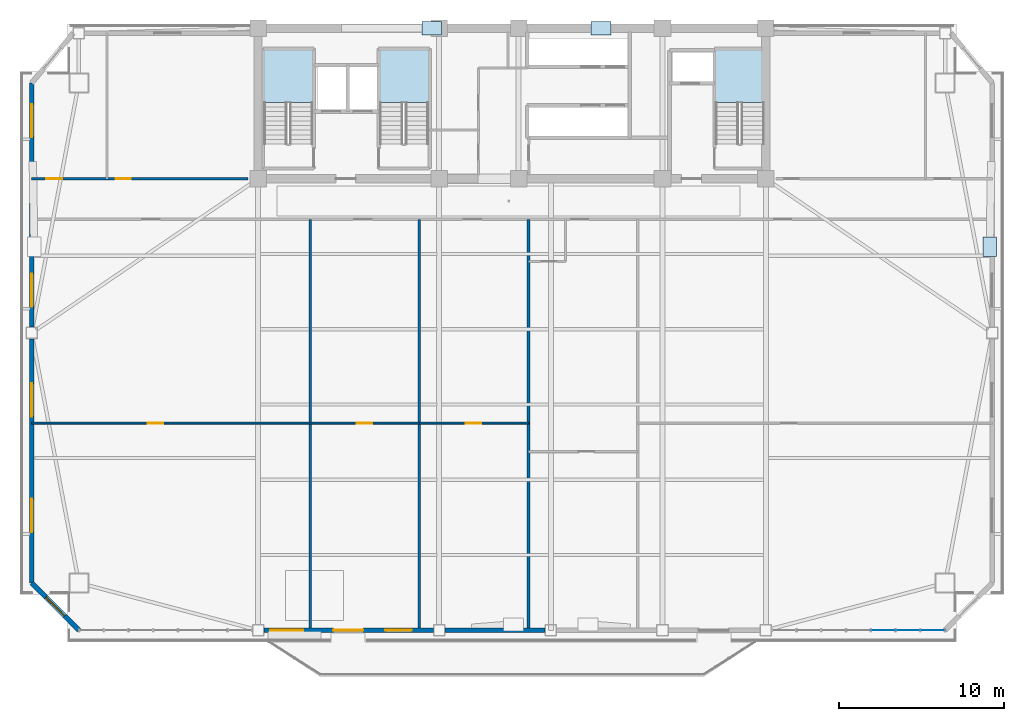
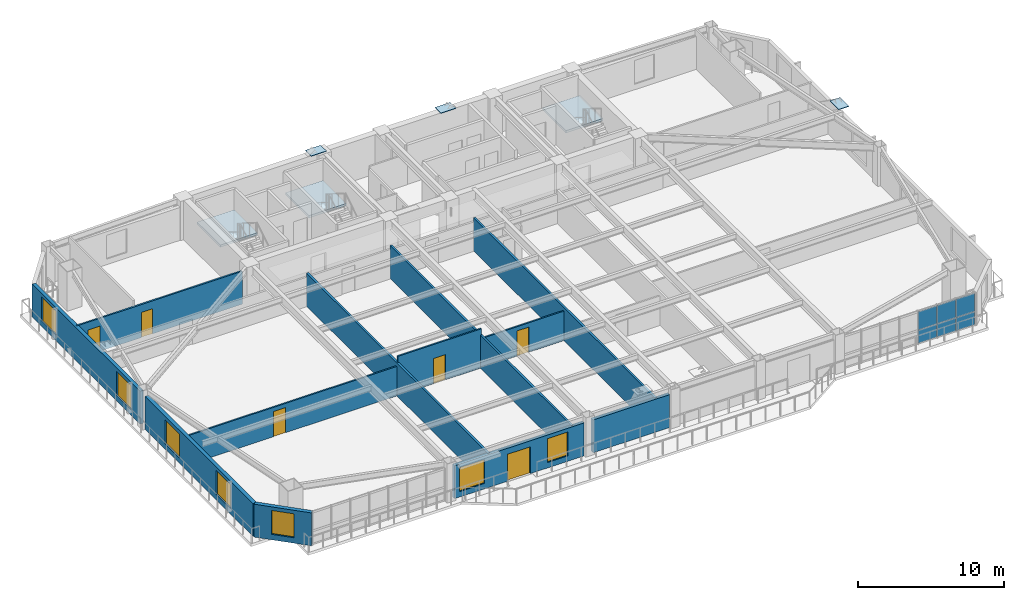
# One storey, part 7 of 15: 12 walls, 9 plates, 7 windows, 6 doors, 3 slabs, 13 openings, 4 elements without a shape of their own.
"""IFC4 building model written with IfcOpenShell, lengths in metres."""

from ifc_helpers import new_model, si_unit, direction, frame, frame_2d, origin, origin_2d, place, context, subcontext, project, spatial, polyline, rectangle, outline, extrude, source, transform, mapped, material, layer, layer_set, type_object, element, fill, aggregate, save


model = new_model("IFC4")

# Units and contexts
model_context = context("Model", 3, precision=1e-05, world=origin(), true_north=direction((0.0, 1.0)))
body_context = subcontext(model_context, "Body", "Model", "MODEL_VIEW")
ifc_project = project(units=[si_unit("LENGTHUNIT", "METRE"), si_unit("AREAUNIT", "SQUARE_METRE"), si_unit("VOLUMEUNIT", "CUBIC_METRE"), si_unit("PLANEANGLEUNIT", "RADIAN"), si_unit("MASSUNIT", "GRAM", prefix="KILO")], contexts=[model_context])

# Site, building, storey
site_placement = place(None, origin())
site = spatial("IfcSite", under=ifc_project, at=site_placement, CompositionType="ELEMENT")
building_placement = place(site_placement, origin())
building = spatial("IfcBuilding", under=site, at=building_placement, Name="Giltprow Tower", CompositionType="ELEMENT")
storey_placement = place(building_placement, frame((0.0, 0.0, 184.199951171875)))
storey = spatial("IfcBuildingStorey", under=building, at=storey_placement, Name="L46", CompositionType="ELEMENT", Elevation=184.199951171875)

# Stair, slab
ifc_material_1 = material(Name="Concrete C40", Category="concrete")
stair_type_1 = type_object("IfcStairType", Name="STR-ST-1", PredefinedType="HALF_TURN_STAIR", material=ifc_material_1)
stair_1_placement = place(storey_placement, origin())
stair_1 = element("IfcStair", 1, at=stair_1_placement, inside=storey, type_object=stair_type_1, Name="L46 Core Exit Stair ST-1", PredefinedType="HALF_TURN_STAIR")
ifc_layer_1 = layer(ifc_material_1, 0.179931640625, Name="Concrete C40")
ifc_layer_set_1 = layer_set([ifc_layer_1], Name="Concrete C40")
slab_type_1 = type_object("IfcSlabType", Name="SLD-ST-1", PredefinedType="LANDING", material=ifc_layer_set_1)
slab_1_placement = place(storey_placement, frame((0.0, 0.0, 1.570068359375)))
slab_1 = element("IfcSlab", 2, at=slab_1_placement, type_object=slab_type_1, Name="ST-1 landing 1", PredefinedType="LANDING", context=body_context, shape_type="SweptSolid", body=[
    extrude(outline(polyline([(23.159912109375, 42.070068359375), (23.159912109375, 45.25), (20.199951171875, 45.25), (20.199951171875, 42.070068359375), (23.159912109375, 42.070068359375)])), origin(), (0.0, 0.0, 1.0), 0.179931640625),
])
aggregate(stair_1, [slab_1])

stair_type_2 = type_object("IfcStairType", Name="STR-ST-2", PredefinedType="HALF_TURN_STAIR", material=ifc_material_1)
stair_2_placement = place(storey_placement, origin())
stair_2 = element("IfcStair", 3, at=stair_2_placement, inside=storey, type_object=stair_type_2, Name="L46 Core Exit Stair ST-2", PredefinedType="HALF_TURN_STAIR")
ifc_layer_2 = layer(ifc_material_1, 0.18798828125, Name="Concrete C40")
ifc_layer_set_2 = layer_set([ifc_layer_2], Name="Concrete C40")
slab_type_2 = type_object("IfcSlabType", Name="SLD-ST-2", PredefinedType="LANDING", material=ifc_layer_set_2)
slab_2_placement = place(storey_placement, frame((0.0, 0.0, 1.56201171875)))
slab_2 = element("IfcSlab", 4, at=slab_2_placement, type_object=slab_type_2, Name="ST-2 landing 1", PredefinedType="LANDING", context=body_context, shape_type="SweptSolid", body=[
    extrude(outline(polyline([(30.159912109375, 42.070068359375), (30.159912109375, 45.25), (27.199951171875, 45.25), (27.199951171875, 42.070068359375), (30.159912109375, 42.070068359375)])), origin(), (0.0, 0.0, 1.0), 0.18798828125),
])
aggregate(stair_2, [slab_2])

stair_type_3 = type_object("IfcStairType", Name="STR-ST-3", PredefinedType="HALF_TURN_STAIR", material=ifc_material_1)
stair_3_placement = place(storey_placement, origin())
stair_3 = element("IfcStair", 5, at=stair_3_placement, inside=storey, type_object=stair_type_3, Name="L46 Core Exit Stair ST-3", PredefinedType="HALF_TURN_STAIR")
ifc_layer_3 = layer(ifc_material_1, 0.196044921875, Name="Concrete C40")
ifc_layer_set_3 = layer_set([ifc_layer_3], Name="Concrete C40")
slab_type_3 = type_object("IfcSlabType", Name="SLD-ST-3", PredefinedType="LANDING", material=ifc_layer_set_3)
slab_3_placement = place(storey_placement, frame((0.0, 0.0, 1.553955078125)))
slab_3 = element("IfcSlab", 6, at=slab_3_placement, type_object=slab_type_3, Name="ST-3 landing 1", PredefinedType="LANDING", context=body_context, shape_type="SweptSolid", body=[
    extrude(outline(polyline([(50.4599609375, 42.070068359375), (50.4599609375, 45.25), (47.5, 45.25), (47.5, 42.070068359375), (50.4599609375, 42.070068359375)])), origin(), (0.0, 0.0, 1.0), 0.196044921875),
])
aggregate(stair_3, [slab_3])

# Plates
ifc_material_2 = material(Name="Structural steel Q420GJC", Category="steel")
plate_type_1 = type_object("IfcPlateType", Name="PLT-CAP-SEAL", PredefinedType="USERDEFINED", material=ifc_material_2)
shared_shape_1 = source(origin(), body_context, "Body", "SweptSolid", [
    extrude(rectangle(XDim=1.199951171875, YDim=0.800048828125, at=origin_2d()), origin(), (0.0, 0.0, 1.0), 0.034912109375),
])
for number, where, z_axis, x_axis, name in (
    (7, (30.35009765625, 46.550048828125, 3.3427734375), (0.0, 0.0, 1.0), (1.0, 0.0, 0.0), "Mega-Brace Node L46-N-LB"),
    (8, (40.5830078125, 46.550048828125, 3.3427734375), (0.0, 0.0, 1.0), (1.0, 0.0, 0.0), "Mega-Brace Node L46-N-RB"),
    (9, (64.090087890625, 33.340087890625, 3.482421875), (0.0, 0.0, 1.0), (0.0, 1.0, 0.0), "Mega-Brace Node L46-E-RB"),
):
    element("IfcPlate", number, at=place(storey_placement, frame(where, z_axis=z_axis, x_axis=x_axis)), inside=storey, type_object=plate_type_1, Name=name, ObjectType="SPLICE", PredefinedType="USERDEFINED", context=body_context, shape_type="MappedRepresentation", body=[
        mapped(shared_shape_1, transform((0.0, 0.0, 0.0), x_axis=(1.0, 0.0, 0.0), y_axis=(0.0, 1.0, 0.0), z_axis=(0.0, 0.0, 1.0), scale=1.0)),
    ])

# Curtain wall, plates
ifc_material_3 = material(Name="Anodized bronze", Category="metal")
ifc_layer_4 = layer(ifc_material_3, 0.179931640625, Name="Anodized bronze")
ifc_layer_set_4 = layer_set([ifc_layer_4], Name="Anodized bronze")
curtain_wall_type = type_object("IfcCurtainWallType", Name="CW-HTL-BRONZE", PredefinedType="NOTDEFINED", material=ifc_layer_set_4)
curtain_wall_placement = place(storey_placement, origin())
curtain_wall = element("IfcCurtainWall", 10, at=curtain_wall_placement, inside=storey, type_object=curtain_wall_type, Name="L46 South Recessed Curtain Wall 6", PredefinedType="NOTDEFINED")
ifc_material_4 = material(Name="Insulated glass", Category="glass")
plate_type_2 = type_object("IfcPlateType", Name="CW-PANEL-IGU-28", PredefinedType="CURTAIN_PANEL", material=ifc_material_4)
shared_shape_2 = source(origin(), body_context, "Body", "SweptSolid", [
    extrude(rectangle(XDim=1.468017578125, YDim=0.028076171875, at=origin_2d()), origin(), (0.0, 0.0, 1.0), 1.0869140625),
])
plate_1_placement = place(storey_placement, frame((57.64111328125, 10.154052734375, 0.0546875), z_axis=(0.0, 0.0, 1.0), x_axis=(1.0, 0.0, 0.0)))
plate_1 = element("IfcPlate", 11, at=plate_1_placement, type_object=plate_type_2, Name="L46 South Recessed Curtain Wall 6 Glazing Panel 5-1", PredefinedType="CURTAIN_PANEL", context=body_context, shape_type="MappedRepresentation", body=[
    mapped(shared_shape_2, transform((0.0, 0.0, 0.0), x_axis=(1.0, 0.0, 0.0), y_axis=(0.0, 1.0, 0.0), z_axis=(0.0, 0.0, 1.0), scale=1.0)),
])
plate_2_placement = place(storey_placement, frame((59.138916015625, 10.154052734375, 0.0546875), z_axis=(0.0, 0.0, 1.0), x_axis=(1.0, 0.0, 0.0)))
plate_2 = element("IfcPlate", 12, at=plate_2_placement, type_object=plate_type_2, Name="L46 South Recessed Curtain Wall 6 Glazing Panel 6-1", PredefinedType="CURTAIN_PANEL", context=body_context, shape_type="MappedRepresentation", body=[
    mapped(shared_shape_2, transform((0.0, 0.0, 0.0), x_axis=(1.0, 0.0, 0.0), y_axis=(0.0, 1.0, 0.0), z_axis=(0.0, 0.0, 1.0), scale=1.0)),
])
plate_3_placement = place(storey_placement, frame((60.636962890625, 10.154052734375, 0.0546875), z_axis=(0.0, 0.0, 1.0), x_axis=(1.0, 0.0, 0.0)))
plate_3 = element("IfcPlate", 13, at=plate_3_placement, type_object=plate_type_2, Name="L46 South Recessed Curtain Wall 6 Glazing Panel 7-1", PredefinedType="CURTAIN_PANEL", context=body_context, shape_type="MappedRepresentation", body=[
    mapped(shared_shape_2, transform((0.0, 0.0, 0.0), x_axis=(1.0, 0.0, 0.0), y_axis=(0.0, 1.0, 0.0), z_axis=(0.0, 0.0, 1.0), scale=1.0)),
])
shared_shape_3 = source(origin(), body_context, "Body", "SweptSolid", [
    extrude(rectangle(XDim=1.468017578125, YDim=0.028076171875, at=origin_2d()), origin(), (0.0, 0.0, 1.0), 1.527099609375),
])
plate_4_placement = place(storey_placement, frame((57.64111328125, 10.154052734375, 1.16845703125), z_axis=(0.0, 0.0, 1.0), x_axis=(1.0, 0.0, 0.0)))
plate_4 = element("IfcPlate", 14, at=plate_4_placement, type_object=plate_type_2, Name="L46 South Recessed Curtain Wall 6 Glazing Panel 5-2", PredefinedType="CURTAIN_PANEL", context=body_context, shape_type="MappedRepresentation", body=[
    mapped(shared_shape_3, transform((0.0, 0.0, 0.0), x_axis=(1.0, 0.0, 0.0), y_axis=(0.0, 1.0, 0.0), z_axis=(0.0, 0.0, 1.0), scale=1.0)),
])
plate_5_placement = place(storey_placement, frame((59.138916015625, 10.154052734375, 1.16845703125), z_axis=(0.0, 0.0, 1.0), x_axis=(1.0, 0.0, 0.0)))
plate_5 = element("IfcPlate", 15, at=plate_5_placement, type_object=plate_type_2, Name="L46 South Recessed Curtain Wall 6 Glazing Panel 6-2", PredefinedType="CURTAIN_PANEL", context=body_context, shape_type="MappedRepresentation", body=[
    mapped(shared_shape_3, transform((0.0, 0.0, 0.0), x_axis=(1.0, 0.0, 0.0), y_axis=(0.0, 1.0, 0.0), z_axis=(0.0, 0.0, 1.0), scale=1.0)),
])
plate_6_placement = place(storey_placement, frame((60.636962890625, 10.154052734375, 1.16845703125), z_axis=(0.0, 0.0, 1.0), x_axis=(1.0, 0.0, 0.0)))
plate_6 = element("IfcPlate", 16, at=plate_6_placement, type_object=plate_type_2, Name="L46 South Recessed Curtain Wall 6 Glazing Panel 7-2", PredefinedType="CURTAIN_PANEL", context=body_context, shape_type="MappedRepresentation", body=[
    mapped(shared_shape_3, transform((0.0, 0.0, 0.0), x_axis=(1.0, 0.0, 0.0), y_axis=(0.0, 1.0, 0.0), z_axis=(0.0, 0.0, 1.0), scale=1.0)),
])
aggregate(curtain_wall, [plate_1, plate_4, plate_2, plate_5, plate_3, plate_6])

# Wall, opening, window
ifc_material_5 = material(Name="Precast concrete C40", Category="concrete")
ifc_layer_5 = layer(ifc_material_5, 0.300048828125, Name="Precast concrete C40")
ifc_layer_set_5 = layer_set([ifc_layer_5], Name="Precast concrete C40")
wall_type_1 = type_object("IfcWallType", Name="EW-NOTCH-CHAMFER-300", PredefinedType="SOLIDWALL", material=ifc_layer_set_5)
wall_1_placement = place(storey_placement, frame((6.154052734375, 13.014892578125, 0.0), z_axis=(0.0, 0.0, 1.0), x_axis=(0.707106781187, -0.707106781187, 0.0)))
wall_1 = element("IfcWall", 17, at=wall_1_placement, inside=storey, type_object=wall_type_1, Name="L46 Corner Notch Wall SW", PredefinedType="SOLIDWALL", context=body_context, shape_type="SweptSolid", body=[
    extrude(rectangle(XDim=4.0458984375, YDim=0.300048828125, at=frame_2d((2.02294921875, 0.0))), origin(), (0.0, 0.0, 1.0), 2.75),
])
opening_1_placement = place(wall_1_placement, frame((1.222900390625, 0.0, 0.449951171875)))
opening_1 = element("IfcOpeningElement", 18, at=opening_1_placement, cuts=wall_1, Name="Opening WN17", PredefinedType="OPENING", context=body_context, shape_type="SweptSolid", body=[
    extrude(rectangle(XDim=1.60009765625, YDim=2.0, at=frame_2d((0.800048828125, 1.0))), frame((0.0, 0.159912109375, 0.0), z_axis=(0.0, -1.0, 0.0), x_axis=(1.0, 0.0, 0.0)), (0.0, 0.0, 1.0), 0.320068359375),
])
window_type_1 = type_object("IfcWindowType", Name="WN-COR-1600x2000", PartitioningType="SINGLE_PANEL", PredefinedType="WINDOW", material=ifc_material_4)
shared_shape_4 = source(origin(), body_context, "Body", "SweptSolid", [
    extrude(rectangle(XDim=1.60009765625, YDim=2.0, at=frame_2d((0.800048828125, 1.0))), frame((0.0, 0.030029296875, 0.0), z_axis=(0.0, -1.0, 0.0), x_axis=(1.0, 0.0, 0.0)), (0.0, 0.0, 1.0), 0.06005859375),
])
window_1_placement = place(opening_1_placement, origin())
window_1 = element("IfcWindow", 19, at=window_1_placement, inside=storey, type_object=window_type_1, Name="L46 Corner Notch Window SW", OverallHeight=2.0, OverallWidth=1.60009765625, PartitioningType="SINGLE_PANEL", PredefinedType="WINDOW", context=body_context, shape_type="MappedRepresentation", body=[
    mapped(shared_shape_4, transform((0.0, 0.0, 0.0), x_axis=(1.0, 0.0, 0.0), y_axis=(0.0, 1.0, 0.0), z_axis=(0.0, 0.0, 1.0), scale=1.0)),
])
fill(opening_1, window_1)

# Wall, openings, windows, door
ifc_layer_6 = layer(ifc_material_5, 0.280029296875, Name="Precast concrete C40")
ifc_layer_set_6 = layer_set([ifc_layer_6], Name="Precast concrete C40")
wall_type_2 = type_object("IfcWallType", Name="EW-TOW-BRONZE-280", PredefinedType="SOLIDWALL", material=ifc_layer_set_6)
wall_2_placement = place(storey_placement, frame((20.199951171875, 10.154052734375, 0.0), z_axis=(0.0, 0.0, 1.0), x_axis=(1.0, 0.0, 0.0)))
wall_2 = element("IfcWall", 20, at=wall_2_placement, inside=storey, type_object=wall_type_2, Name="L46 South Expressed Frame Wall 2", PredefinedType="SOLIDWALL", context=body_context, shape_type="SweptSolid", body=[
    extrude(rectangle(XDim=10.25, YDim=0.280029296875, at=frame_2d((5.125, 0.0))), origin(), (0.0, 0.0, 1.0), 2.75),
])
opening_2_placement = place(wall_2_placement, frame((4.199951171875, 0.0, 0.0)))
opening_2 = element("IfcOpeningElement", 21, at=opening_2_placement, cuts=wall_2, Name="Opening ED25", PredefinedType="OPENING", context=body_context, shape_type="SweptSolid", body=[
    extrude(rectangle(XDim=1.800048828125, YDim=2.25, at=frame_2d((0.89990234375, 1.125))), frame((0.0, 0.14990234375, 0.0), z_axis=(0.0, -1.0, 0.0), x_axis=(1.0, 0.0, 0.0)), (0.0, 0.0, 1.0), 0.300048828125),
])
opening_3_placement = place(wall_2_placement, frame((0.3798828125, 0.0, 0.449951171875)))
opening_3 = element("IfcOpeningElement", 22, at=opening_3_placement, cuts=wall_2, Name="Opening WN21", PredefinedType="OPENING", context=body_context, shape_type="SweptSolid", body=[
    extrude(rectangle(XDim=2.0, YDim=2.0, at=frame_2d((1.0, 1.0))), frame((0.0, 0.14990234375, 0.0), z_axis=(0.0, -1.0, 0.0), x_axis=(1.0, 0.0, 0.0)), (0.0, 0.0, 1.0), 0.300048828125),
])
opening_4_placement = place(wall_2_placement, frame((7.35009765625, 0.0, 0.449951171875)))
opening_4 = element("IfcOpeningElement", 23, at=opening_4_placement, cuts=wall_2, Name="Opening WN17", PredefinedType="OPENING", context=body_context, shape_type="SweptSolid", body=[
    extrude(rectangle(XDim=1.60009765625, YDim=2.0, at=frame_2d((0.800048828125, 1.0))), frame((0.0, 0.14990234375, 0.0), z_axis=(0.0, -1.0, 0.0), x_axis=(1.0, 0.0, 0.0)), (0.0, 0.0, 1.0), 0.300048828125),
])
window_2_placement = place(opening_4_placement, origin())
window_2 = element("IfcWindow", 24, at=window_2_placement, inside=storey, type_object=window_type_1, Name="L46 South Window 2B", OverallHeight=2.0, OverallWidth=1.60009765625, PartitioningType="SINGLE_PANEL", PredefinedType="WINDOW", context=body_context, shape_type="MappedRepresentation", body=[
    mapped(shared_shape_4, transform((0.0, 0.0, 0.0), x_axis=(1.0, 0.0, 0.0), y_axis=(0.0, 1.0, 0.0), z_axis=(0.0, 0.0, 1.0), scale=1.0)),
])
fill(opening_4, window_2)
ifc_material_6 = material(Name="Anodized bronze and glass", Category="glass")
door_type_1 = type_object("IfcDoorType", Name="DR-BALC-SLIDE-1800", OperationType="SLIDING_TO_LEFT", PredefinedType="DOOR", material=ifc_material_6)
shared_shape_5 = source(origin(), body_context, "Body", "SweptSolid", [
    extrude(rectangle(XDim=1.800048828125, YDim=2.25, at=frame_2d((0.89990234375, 1.125))), frame((0.0, 0.02490234375, 0.0), z_axis=(0.0, -1.0, 0.0), x_axis=(1.0, 0.0, 0.0)), (0.0, 0.0, 1.0), 0.050048828125),
])
door_1_placement = place(opening_2_placement, origin())
door_1 = element("IfcDoor", 25, at=door_1_placement, inside=storey, type_object=door_type_1, Name="L46 Waterfront Balcony Sliding Door 1", OperationType="SLIDING_TO_LEFT", OverallHeight=2.25, OverallWidth=1.800048828125, PredefinedType="DOOR", context=body_context, shape_type="MappedRepresentation", body=[
    mapped(shared_shape_5, transform((0.0, 0.0, 0.0), x_axis=(1.0, 0.0, 0.0), y_axis=(0.0, 1.0, 0.0), z_axis=(0.0, 0.0, 1.0), scale=1.0)),
])
fill(opening_2, door_1)
window_type_2 = type_object("IfcWindowType", Name="WN-HTL-2000x2000", PartitioningType="DOUBLE_PANEL_VERTICAL", PredefinedType="WINDOW", material=ifc_material_4)
shared_shape_6 = source(origin(), body_context, "Body", "SweptSolid", [
    extrude(rectangle(XDim=2.0, YDim=2.0, at=frame_2d((1.0, 1.0))), frame((0.0, 0.030029296875, 0.0), z_axis=(0.0, -1.0, 0.0), x_axis=(1.0, 0.0, 0.0)), (0.0, 0.0, 1.0), 0.06005859375),
])
window_3_placement = place(opening_3_placement, origin())
window_3 = element("IfcWindow", 26, at=window_3_placement, inside=storey, type_object=window_type_2, Name="L46 South Window 2A", OverallHeight=2.0, OverallWidth=2.0, PartitioningType="SINGLE_PANEL", PredefinedType="WINDOW", context=body_context, shape_type="MappedRepresentation", body=[
    mapped(shared_shape_6, transform((0.0, 0.0, 0.0), x_axis=(1.0, 0.0, 0.0), y_axis=(0.0, 1.0, 0.0), z_axis=(0.0, 0.0, 1.0), scale=1.0)),
])
fill(opening_3, window_3)

# Wall
wall_3_placement = place(storey_placement, frame((31.14990234375, 10.154052734375, 0.0), z_axis=(0.0, 0.0, 1.0), x_axis=(1.0, 0.0, 0.0)))
element("IfcWall", 27, at=wall_3_placement, inside=storey, type_object=wall_type_2, Name="L46 South Expressed Frame Wall 3", PredefinedType="SOLIDWALL", context=body_context, shape_type="SweptSolid", body=[
    extrude(rectangle(XDim=6.050048828125, YDim=0.280029296875, at=frame_2d((3.02490234375, 0.0))), origin(), (0.0, 0.0, 1.0), 2.75),
])

# Wall, openings, windows
wall_4_placement = place(storey_placement, frame((6.154052734375, 13.014892578125, 0.0), z_axis=(0.0, 0.0, 1.0), x_axis=(0.0, 1.0, 0.0)))
wall_4 = element("IfcWall", 28, at=wall_4_placement, inside=storey, type_object=wall_type_2, Name="L46 W Wing Masonry Wall 1", PredefinedType="SOLIDWALL", context=body_context, shape_type="SweptSolid", body=[
    extrude(rectangle(XDim=14.76220703125, YDim=0.280029296875, at=frame_2d((7.381103515625, 0.0))), origin(), (0.0, 0.0, 1.0), 2.75),
])
opening_5_placement = place(wall_4_placement, frame((3.077880859375, 0.0, 0.449951171875)))
opening_5 = element("IfcOpeningElement", 29, at=opening_5_placement, cuts=wall_4, Name="Opening WN21", PredefinedType="OPENING", context=body_context, shape_type="SweptSolid", body=[
    extrude(rectangle(XDim=2.0, YDim=2.0, at=frame_2d((1.0, 1.0))), frame((0.0, 0.14990234375, 0.0), z_axis=(0.0, -1.0, 0.0), x_axis=(1.0, 0.0, 0.0)), (0.0, 0.0, 1.0), 0.300048828125),
])
opening_6_placement = place(wall_4_placement, frame((10.06201171875, 0.0, 0.449951171875)))
opening_6 = element("IfcOpeningElement", 30, at=opening_6_placement, cuts=wall_4, Name="Opening WN21", PredefinedType="OPENING", context=body_context, shape_type="SweptSolid", body=[
    extrude(rectangle(XDim=2.0, YDim=2.0, at=frame_2d((1.0, 1.0))), frame((0.0, 0.14990234375, 0.0), z_axis=(0.0, -1.0, 0.0), x_axis=(1.0, 0.0, 0.0)), (0.0, 0.0, 1.0), 0.300048828125),
])
window_4_placement = place(opening_5_placement, origin())
window_4 = element("IfcWindow", 31, at=window_4_placement, inside=storey, type_object=window_type_2, Name="L46 W Wing Window 1-1A", OverallHeight=2.0, OverallWidth=2.0, PartitioningType="SINGLE_PANEL", PredefinedType="WINDOW", context=body_context, shape_type="MappedRepresentation", body=[
    mapped(shared_shape_6, transform((0.0, 0.0, 0.0), x_axis=(1.0, 0.0, 0.0), y_axis=(0.0, 1.0, 0.0), z_axis=(0.0, 0.0, 1.0), scale=1.0)),
])
fill(opening_5, window_4)
window_5_placement = place(opening_6_placement, origin())
window_5 = element("IfcWindow", 32, at=window_5_placement, inside=storey, type_object=window_type_2, Name="L46 W Wing Window 1-1B", OverallHeight=2.0, OverallWidth=2.0, PartitioningType="SINGLE_PANEL", PredefinedType="WINDOW", context=body_context, shape_type="MappedRepresentation", body=[
    mapped(shared_shape_6, transform((0.0, 0.0, 0.0), x_axis=(1.0, 0.0, 0.0), y_axis=(0.0, 1.0, 0.0), z_axis=(0.0, 0.0, 1.0), scale=1.0)),
])
fill(opening_6, window_5)

wall_5_placement = place(storey_placement, frame((6.154052734375, 28.47705078125, 0.0), z_axis=(0.0, 0.0, 1.0), x_axis=(0.0, 1.0, 0.0)))
wall_5 = element("IfcWall", 33, at=wall_5_placement, inside=storey, type_object=wall_type_2, Name="L46 W Wing Masonry Wall 2", PredefinedType="SOLIDWALL", context=body_context, shape_type="SweptSolid", body=[
    extrude(rectangle(XDim=14.761962890625, YDim=0.280029296875, at=frame_2d((7.380859375, 0.0))), origin(), (0.0, 0.0, 1.0), 2.75),
])
opening_7_placement = place(wall_5_placement, frame((1.23193359375, 0.0, 0.449951171875)))
opening_7 = element("IfcOpeningElement", 34, at=opening_7_placement, cuts=wall_5, Name="Opening WN21", PredefinedType="OPENING", context=body_context, shape_type="SweptSolid", body=[
    extrude(rectangle(XDim=2.0, YDim=2.0, at=frame_2d((1.0, 1.0))), frame((0.0, 0.14990234375, 0.0), z_axis=(0.0, -1.0, 0.0), x_axis=(1.0, 0.0, 0.0)), (0.0, 0.0, 1.0), 0.300048828125),
])
opening_8_placement = place(wall_5_placement, frame((11.487060546875, 0.0, 0.449951171875)))
opening_8 = element("IfcOpeningElement", 35, at=opening_8_placement, cuts=wall_5, Name="Opening WN21", PredefinedType="OPENING", context=body_context, shape_type="SweptSolid", body=[
    extrude(rectangle(XDim=2.0, YDim=2.0, at=frame_2d((1.0, 1.0))), frame((0.0, 0.14990234375, 0.0), z_axis=(0.0, -1.0, 0.0), x_axis=(1.0, 0.0, 0.0)), (0.0, 0.0, 1.0), 0.300048828125),
])
window_6_placement = place(opening_7_placement, origin())
window_6 = element("IfcWindow", 36, at=window_6_placement, inside=storey, type_object=window_type_2, Name="L46 W Wing Window 2-1", OverallHeight=2.0, OverallWidth=2.0, PartitioningType="SINGLE_PANEL", PredefinedType="WINDOW", context=body_context, shape_type="MappedRepresentation", body=[
    mapped(shared_shape_6, transform((0.0, 0.0, 0.0), x_axis=(1.0, 0.0, 0.0), y_axis=(0.0, 1.0, 0.0), z_axis=(0.0, 0.0, 1.0), scale=1.0)),
])
fill(opening_7, window_6)
window_7_placement = place(opening_8_placement, origin())
window_7 = element("IfcWindow", 37, at=window_7_placement, inside=storey, type_object=window_type_2, Name="L46 W Wing Window 2-2", OverallHeight=2.0, OverallWidth=2.0, PartitioningType="SINGLE_PANEL", PredefinedType="WINDOW", context=body_context, shape_type="MappedRepresentation", body=[
    mapped(shared_shape_6, transform((0.0, 0.0, 0.0), x_axis=(1.0, 0.0, 0.0), y_axis=(0.0, 1.0, 0.0), z_axis=(0.0, 0.0, 1.0), scale=1.0)),
])
fill(opening_8, window_7)

# Walls
ifc_material_7 = material(Name="Gypsum stud partition", Category="gypsum")
ifc_layer_7 = layer(ifc_material_7, 0.159912109375, Name="Gypsum stud partition")
ifc_layer_set_7 = layer_set([ifc_layer_7], Name="Gypsum stud partition")
wall_type_3 = type_object("IfcWallType", Name="IW-DEMISE-160", PredefinedType="PARTITIONING", material=ifc_layer_set_7)
for number, where, z_axis, x_axis, name in (
    (38, (23.0, 10.154052734375, 0.0), (0.0, 0.0, 1.0), (0.0, 1.0, 0.0), "L46 Hotel Demising Wall 1"),
    (39, (29.60009765625, 10.154052734375, 0.0), (0.0, 0.0, 1.0), (0.0, 1.0, 0.0), "L46 Hotel Demising Wall 2"),
    (40, (36.199951171875, 10.154052734375, 0.0), (0.0, 0.0, 1.0), (0.0, 1.0, 0.0), "L46 Hotel Demising Wall 3"),
):
    element("IfcWall", number, at=place(storey_placement, frame(where, z_axis=z_axis, x_axis=x_axis)), inside=storey, type_object=wall_type_3, Name=name, PredefinedType="PARTITIONING", context=body_context, shape_type="SweptSolid", body=[
        extrude(rectangle(XDim=24.845947265625, YDim=0.159912109375, at=frame_2d((12.4228515625, 0.0))), origin(), (0.0, 0.0, 1.0), 2.755126953125),
    ])

# Wall, opening, door
ifc_layer_8 = layer(ifc_material_7, 0.1201171875, Name="Gypsum stud partition")
ifc_layer_set_8 = layer_set([ifc_layer_8], Name="Gypsum stud partition")
wall_type_4 = type_object("IfcWallType", Name="IW-ROOM-120", PredefinedType="PARTITIONING", material=ifc_layer_set_8)
wall_6_placement = place(storey_placement, frame((6.154052734375, 22.677001953125, 0.0), z_axis=(0.0, 0.0, 1.0), x_axis=(1.0, 0.0, 0.0)))
wall_6 = element("IfcWall", 41, at=wall_6_placement, inside=storey, type_object=wall_type_4, Name="L46 Amenity Mid Wall 1", PredefinedType="PARTITIONING", context=body_context, shape_type="SweptSolid", body=[
    extrude(rectangle(XDim=16.845947265625, YDim=0.1201171875, at=frame_2d((8.4228515625, 0.0))), origin(), (0.0, 0.0, 1.0), 2.455078125),
])
opening_9_placement = place(wall_6_placement, frame((7.02392578125, 0.0, 0.0)))
opening_9 = element("IfcOpeningElement", 42, at=opening_9_placement, cuts=wall_6, Name="Opening ID11", PredefinedType="OPENING", context=body_context, shape_type="SweptSolid", body=[
    extrude(rectangle(XDim=0.949951171875, YDim=2.10009765625, at=frame_2d((0.47509765625, 1.050048828125))), frame((0.0, 0.070068359375, 0.0), z_axis=(0.0, -1.0, 0.0), x_axis=(1.0, 0.0, 0.0)), (0.0, 0.0, 1.0), 0.14013671875),
])
ifc_material_8 = material(Name="Engineered timber", Category="wood")
door_type_2 = type_object("IfcDoorType", Name="DR-ROOM-950", OperationType="SINGLE_SWING_RIGHT", PredefinedType="DOOR", material=ifc_material_8)
shared_shape_7 = source(origin(), body_context, "Body", "SweptSolid", [
    extrude(rectangle(XDim=0.949951171875, YDim=2.10009765625, at=frame_2d((0.47509765625, 1.050048828125))), frame((0.0, 0.02490234375, 0.0), z_axis=(0.0, -1.0, 0.0), x_axis=(1.0, 0.0, 0.0)), (0.0, 0.0, 1.0), 0.050048828125),
])
door_2_placement = place(opening_9_placement, origin())
door_2 = element("IfcDoor", 43, at=door_2_placement, inside=storey, type_object=door_type_2, Name="L46 Sommelier Pantry Kitchen 1 Inner Door", OperationType="SINGLE_SWING_RIGHT", OverallHeight=2.10009765625, OverallWidth=0.949951171875, PredefinedType="DOOR", context=body_context, shape_type="MappedRepresentation", body=[
    mapped(shared_shape_7, transform((0.0, 0.0, 0.0), x_axis=(1.0, 0.0, 0.0), y_axis=(0.0, 1.0, 0.0), z_axis=(0.0, 0.0, 1.0), scale=1.0)),
])
fill(opening_9, door_2)

wall_7_placement = place(storey_placement, frame((23.0, 22.677001953125, 0.0), z_axis=(0.0, 0.0, 1.0), x_axis=(1.0, 0.0, 0.0)))
wall_7 = element("IfcWall", 44, at=wall_7_placement, inside=storey, type_object=wall_type_4, Name="L46 Amenity Mid Wall 2", PredefinedType="PARTITIONING", context=body_context, shape_type="SweptSolid", body=[
    extrude(rectangle(XDim=6.60009765625, YDim=0.1201171875, at=frame_2d((3.300048828125, 0.0))), origin(), (0.0, 0.0, 1.0), 3.27001953125),
])
opening_10_placement = place(wall_7_placement, frame((2.805908203125, 0.0, 0.0)))
opening_10 = element("IfcOpeningElement", 45, at=opening_10_placement, cuts=wall_7, Name="Opening ID11", PredefinedType="OPENING", context=body_context, shape_type="SweptSolid", body=[
    extrude(rectangle(XDim=0.949951171875, YDim=2.10009765625, at=frame_2d((0.47509765625, 1.050048828125))), frame((0.0, 0.070068359375, 0.0), z_axis=(0.0, -1.0, 0.0), x_axis=(1.0, 0.0, 0.0)), (0.0, 0.0, 1.0), 0.14013671875),
])
door_3_placement = place(opening_10_placement, origin())
door_3 = element("IfcDoor", 46, at=door_3_placement, inside=storey, type_object=door_type_2, Name="L46 Room Service Kitchen 2 Inner Door", OperationType="SINGLE_SWING_RIGHT", OverallHeight=2.10009765625, OverallWidth=0.949951171875, PredefinedType="DOOR", context=body_context, shape_type="MappedRepresentation", body=[
    mapped(shared_shape_7, transform((0.0, 0.0, 0.0), x_axis=(1.0, 0.0, 0.0), y_axis=(0.0, 1.0, 0.0), z_axis=(0.0, 0.0, 1.0), scale=1.0)),
])
fill(opening_10, door_3)

wall_8_placement = place(storey_placement, frame((29.60009765625, 22.677001953125, 0.0), z_axis=(0.0, 0.0, 1.0), x_axis=(1.0, 0.0, 0.0)))
wall_8 = element("IfcWall", 47, at=wall_8_placement, inside=storey, type_object=wall_type_4, Name="L46 Amenity Mid Wall 3", PredefinedType="PARTITIONING", context=body_context, shape_type="SweptSolid", body=[
    extrude(rectangle(XDim=6.599853515625, YDim=0.1201171875, at=frame_2d((3.2998046875, 0.0))), origin(), (0.0, 0.0, 1.0), 2.455078125),
])
opening_11_placement = place(wall_8_placement, frame((2.805908203125, 0.0, 0.0)))
opening_11 = element("IfcOpeningElement", 48, at=opening_11_placement, cuts=wall_8, Name="Opening ID11", PredefinedType="OPENING", context=body_context, shape_type="SweptSolid", body=[
    extrude(rectangle(XDim=0.949951171875, YDim=2.10009765625, at=frame_2d((0.47509765625, 1.050048828125))), frame((0.0, 0.070068359375, 0.0), z_axis=(0.0, -1.0, 0.0), x_axis=(1.0, 0.0, 0.0)), (0.0, 0.0, 1.0), 0.14013671875),
])
door_4_placement = place(opening_11_placement, origin())
door_4 = element("IfcDoor", 49, at=door_4_placement, inside=storey, type_object=door_type_2, Name="L46 Pastry Finishing Kitchen 3 Inner Door", OperationType="SINGLE_SWING_RIGHT", OverallHeight=2.10009765625, OverallWidth=0.949951171875, PredefinedType="DOOR", context=body_context, shape_type="MappedRepresentation", body=[
    mapped(shared_shape_7, transform((0.0, 0.0, 0.0), x_axis=(1.0, 0.0, 0.0), y_axis=(0.0, 1.0, 0.0), z_axis=(0.0, 0.0, 1.0), scale=1.0)),
])
fill(opening_11, door_4)

# Wall, openings, doors
ifc_material_9 = material(Name="Concrete C30", Category="concrete")
ifc_layer_9 = layer(ifc_material_9, 0.1298828125, Name="Concrete C30")
ifc_layer_set_9 = layer_set([ifc_layer_9], Name="Concrete C30")
wall_type_5 = type_object("IfcWallType", Name="IW-WET-130", PredefinedType="PARTITIONING", material=ifc_layer_set_9)
wall_9_placement = place(storey_placement, frame((6.154052734375, 37.449951171875, 0.0), z_axis=(0.0, 0.0, 1.0), x_axis=(1.0, 0.0, 0.0)))
wall_9 = element("IfcWall", 50, at=wall_9_placement, inside=storey, type_object=wall_type_5, Name="L46 NW Wing South Wall", PredefinedType="PARTITIONING", context=body_context, shape_type="SweptSolid", body=[
    extrude(rectangle(XDim=13.095947265625, YDim=0.1298828125, at=frame_2d((6.5478515625, 0.0))), origin(), (0.0, 0.0, 1.0), 2.755126953125),
])
opening_12_placement = place(wall_9_placement, frame((0.89990234375, 0.0, 0.0)))
opening_12 = element("IfcOpeningElement", 51, at=opening_12_placement, cuts=wall_9, Name="Opening ID11", PredefinedType="OPENING", context=body_context, shape_type="SweptSolid", body=[
    extrude(rectangle(XDim=0.949951171875, YDim=2.10009765625, at=frame_2d((0.47509765625, 1.050048828125))), frame((0.0, 0.074951171875, 0.0), z_axis=(0.0, -1.0, 0.0), x_axis=(1.0, 0.0, 0.0)), (0.0, 0.0, 1.0), 0.14990234375),
])
opening_13_placement = place(wall_9_placement, frame((5.10107421875, 0.0, 0.0)))
opening_13 = element("IfcOpeningElement", 52, at=opening_13_placement, cuts=wall_9, Name="Opening ID15", PredefinedType="OPENING", context=body_context, shape_type="SweptSolid", body=[
    extrude(rectangle(XDim=0.89990234375, YDim=2.10009765625, at=frame_2d((0.449951171875, 1.050048828125))), frame((0.0, 0.074951171875, 0.0), z_axis=(0.0, -1.0, 0.0), x_axis=(1.0, 0.0, 0.0)), (0.0, 0.0, 1.0), 0.14990234375),
])
door_type_3 = type_object("IfcDoorType", Name="DR-WC-900", OperationType="SINGLE_SWING_LEFT", PredefinedType="DOOR", material=ifc_material_8)
shared_shape_8 = source(origin(), body_context, "Body", "SweptSolid", [
    extrude(rectangle(XDim=0.89990234375, YDim=2.10009765625, at=frame_2d((0.449951171875, 1.050048828125))), frame((0.0, 0.02490234375, 0.0), z_axis=(0.0, -1.0, 0.0), x_axis=(1.0, 0.0, 0.0)), (0.0, 0.0, 1.0), 0.050048828125),
])
door_5_placement = place(opening_13_placement, origin())
door_5 = element("IfcDoor", 53, at=door_5_placement, inside=storey, type_object=door_type_3, Name="L46 NW Washroom Door", OperationType="SINGLE_SWING_LEFT", OverallHeight=2.10009765625, OverallWidth=0.89990234375, PredefinedType="DOOR", context=body_context, shape_type="MappedRepresentation", body=[
    mapped(shared_shape_8, transform((0.0, 0.0, 0.0), x_axis=(1.0, 0.0, 0.0), y_axis=(0.0, 1.0, 0.0), z_axis=(0.0, 0.0, 1.0), scale=1.0)),
])
fill(opening_13, door_5)
door_6_placement = place(opening_12_placement, origin())
door_6 = element("IfcDoor", 54, at=door_6_placement, inside=storey, type_object=door_type_2, Name="L46 Hotel Floor Butler Office West Door", OperationType="SINGLE_SWING_RIGHT", OverallHeight=2.10009765625, OverallWidth=0.949951171875, PredefinedType="DOOR", context=body_context, shape_type="MappedRepresentation", body=[
    mapped(shared_shape_7, transform((0.0, 0.0, 0.0), x_axis=(1.0, 0.0, 0.0), y_axis=(0.0, 1.0, 0.0), z_axis=(0.0, 0.0, 1.0), scale=1.0)),
])
fill(opening_12, door_6)

save(model, "model.ifc")
